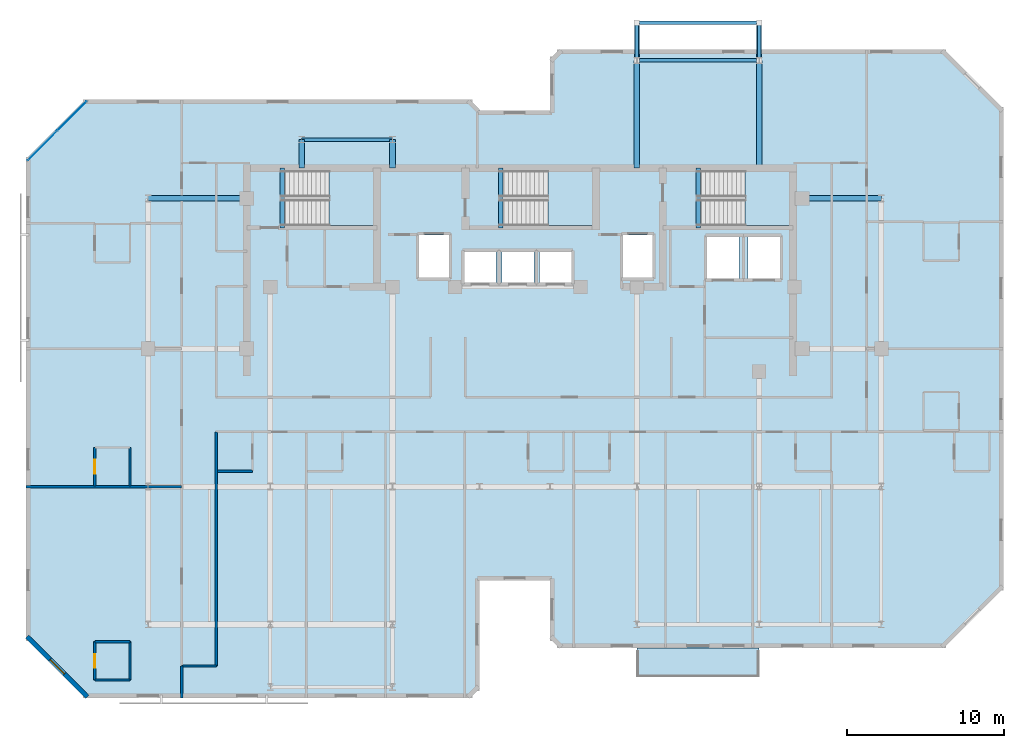
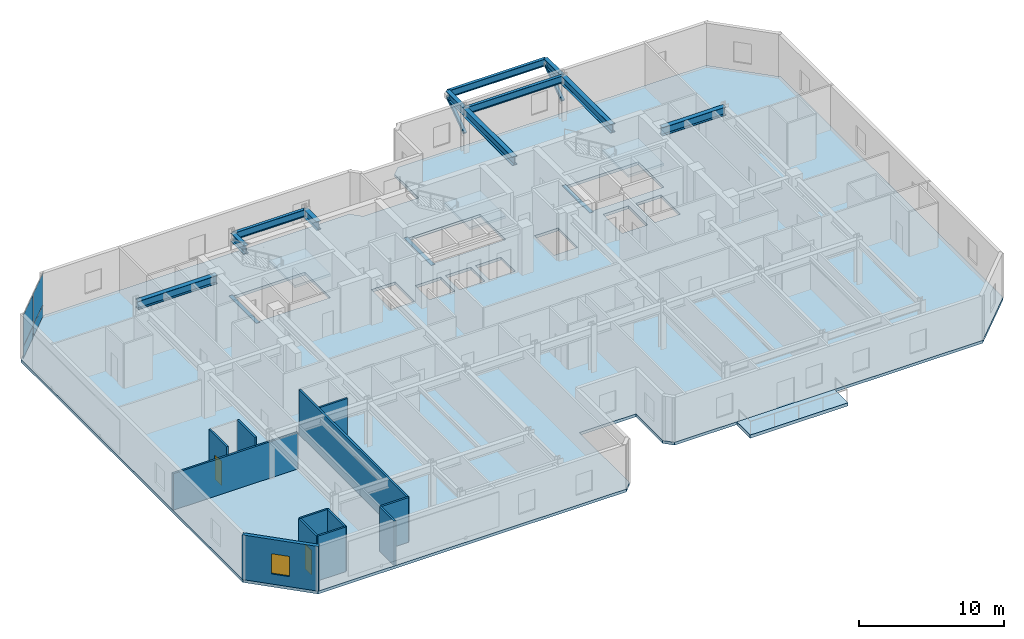
# One storey, part 3 of 10: 14 beams, 12 walls, 5 slabs, 4 plates, 2 doors, 2 members, 1 window, 3 openings, 4 elements without a shape of their own.
"""IFC4 building model written with IfcOpenShell, lengths in metres."""

from ifc_helpers import new_model, si_unit, direction, frame, frame_2d, origin, origin_2d, place, context, subcontext, project, spatial, polyline, rectangle, hollow_rectangle, i_section, outline, extrude, material, layer, layer_set, material_profile, profile_set, type_object, element, fill, aggregate, save


model = new_model("IFC4")

# Units and contexts
model_context = context("Model", 3, precision=1e-05, world=origin(), true_north=direction((0.0, 1.0)))
body_context = subcontext(model_context, "Body", "Model", "MODEL_VIEW")
ifc_project = project(units=[si_unit("LENGTHUNIT", "METRE"), si_unit("AREAUNIT", "SQUARE_METRE"), si_unit("VOLUMEUNIT", "CUBIC_METRE"), si_unit("PLANEANGLEUNIT", "RADIAN"), si_unit("MASSUNIT", "GRAM", prefix="KILO")], contexts=[model_context])

# Site, building, storey
site_placement = place(None, origin())
site = spatial("IfcSite", under=ifc_project, at=site_placement, CompositionType="ELEMENT")
building_placement = place(site_placement, origin())
building = spatial("IfcBuilding", under=site, at=building_placement, Name="Kestravale Grand Hotel", CompositionType="ELEMENT")
storey_placement = place(building_placement, frame((0.0, 0.0, 253.39990234375)))
storey = spatial("IfcBuildingStorey", under=building, at=storey_placement, Name="L63", CompositionType="ELEMENT", Elevation=253.39990234375)

# Beams
ifc_material_1 = material(Name="Concrete f'c 45 MPa", Category="concrete")
ifc_material_profile_1 = material_profile(ifc_material_1, rectangle(XDim=0.300048828125, YDim=0.39990234375, at=origin_2d()))
ifc_profile_set_1 = profile_set([ifc_material_profile_1], Name="Concrete f'c 45 MPa")
beam_type_1 = type_object("IfcBeamType", Name="B-FLR-LNT400", PredefinedType="LINTEL", material=ifc_profile_set_1)
for number, where, z_axis, x_axis, name in (
    (1, (24.159912109375, 36.52001953125, -0.199951171875), (0.0, 1.0, 0.0), (-1.0, 0.0, 0.0), "L63 ST1 flight bottom header beam"),
    (2, (38.110107421875, 36.52001953125, -0.199951171875), (0.0, 1.0, 0.0), (-1.0, 0.0, 0.0), "L63 ST2 flight bottom header beam"),
    (3, (50.7099609375, 36.52001953125, -0.199951171875), (0.0, 1.0, 0.0), (-1.0, 0.0, 0.0), "L63 ST3 flight bottom header beam"),
):
    element("IfcBeam", number, at=place(storey_placement, frame(where, z_axis=z_axis, x_axis=x_axis)), inside=storey, type_object=beam_type_1, Name=name, PredefinedType="LINTEL", context=body_context, shape_type="SweptSolid", body=[
        extrude(rectangle(XDim=0.300048828125, YDim=0.39990234375, at=origin_2d()), origin(), (0.0, 0.0, 1.0), 3.800048828125),
    ])
ifc_material_2 = material(Name="Steel ASTM A992 Grade 50", Category="steel")
ifc_material_profile_2 = material_profile(ifc_material_2, i_section(OverallWidth=0.324951171875, OverallDepth=0.612060546875, WebThickness=0.0126953125, FlangeThickness=0.01904296875, FilletRadius=0.018798828125, at=origin_2d()))
ifc_profile_set_2 = profile_set([ifc_material_profile_2], Name="Steel ASTM A992 Grade 50")
beam_type_2 = type_object("IfcBeamType", Name="B-FLR-W24A", PredefinedType="SPANDREL", material=ifc_profile_set_2)
for number, where, z_axis, x_axis, name in (
    (4, (46.800048828125, 47.199951171875, 3.424072265625), (0.0, 1.0, 0.0), (-1.0, 0.0, 0.0), "L64 terrace cantilever beam 1"),
    (5, (54.60009765625, 47.199951171875, 3.424072265625), (0.0, 1.0, 0.0), (-1.0, 0.0, 0.0), "L64 terrace cantilever beam 2"),
):
    element("IfcBeam", number, at=place(storey_placement, frame(where, z_axis=z_axis, x_axis=x_axis)), inside=storey, type_object=beam_type_2, Name=name, PredefinedType="SPANDREL", context=body_context, shape_type="SweptSolid", body=[
        extrude(i_section(OverallWidth=0.324951171875, OverallDepth=0.612060546875, WebThickness=0.0126953125, FlangeThickness=0.01904296875, FilletRadius=0.018798828125, at=origin_2d()), origin(), (0.0, 0.0, 1.0), 2.400146484375),
    ])
ifc_material_3 = material(Name="Steel ASTM A992 Grade 50", Category="steel")
ifc_material_profile_3 = material_profile(ifc_material_3, i_section(OverallWidth=0.22900390625, OverallDepth=0.612060546875, WebThickness=0.011962890625, FlangeThickness=0.01953125, FilletRadius=0.019287109375, at=origin_2d()))
ifc_profile_set_3 = profile_set([ifc_material_profile_3], Name="Steel ASTM A992 Grade 50")
beam_type_3 = type_object("IfcBeamType", Name="B-FLR-W24B", PredefinedType="SPANDREL", material=ifc_profile_set_3)
beam_1_placement = place(storey_placement, frame((46.800048828125, 47.199951171875, 3.4541015625), z_axis=(1.0, 0.0, 0.0), x_axis=(0.0, 1.0, 0.0)))
element("IfcBeam", 6, at=beam_1_placement, inside=storey, type_object=beam_type_3, Name="L63 spandrel G:8-9", PredefinedType="SPANDREL", context=body_context, shape_type="SweptSolid", body=[
    extrude(i_section(OverallWidth=0.22900390625, OverallDepth=0.612060546875, WebThickness=0.011962890625, FlangeThickness=0.01953125, FilletRadius=0.019287109375, at=origin_2d()), origin(), (0.0, 0.0, 1.0), 7.800048828125),
])
beam_2_placement = place(storey_placement, frame((25.39990234375, 42.14990234375, 3.4541015625), z_axis=(1.0, 0.0, 0.0), x_axis=(0.0, 1.0, 0.0)))
element("IfcBeam", 7, at=beam_2_placement, inside=storey, type_object=beam_type_3, Name="L63 perimeter tie spandrel FN:4-5", PredefinedType="SPANDREL", context=body_context, shape_type="SweptSolid", body=[
    extrude(i_section(OverallWidth=0.22900390625, OverallDepth=0.612060546875, WebThickness=0.011962890625, FlangeThickness=0.01953125, FilletRadius=0.019287109375, at=origin_2d()), origin(), (0.0, 0.0, 1.0), 5.800048828125),
])
beam_3_placement = place(storey_placement, frame((46.800048828125, 49.60009765625, 3.424072265625), z_axis=(1.0, 0.0, 0.0), x_axis=(0.0, 1.0, 0.0)))
element("IfcBeam", 8, at=beam_3_placement, inside=storey, type_object=beam_type_3, Name="L64 terrace edge spandrel", PredefinedType="SPANDREL", context=body_context, shape_type="SweptSolid", body=[
    extrude(i_section(OverallWidth=0.22900390625, OverallDepth=0.612060546875, WebThickness=0.011962890625, FlangeThickness=0.01953125, FilletRadius=0.019287109375, at=origin_2d()), origin(), (0.0, 0.0, 1.0), 7.800048828125),
])
ifc_material_4 = material(Name="Steel ASTM A992 Grade 50", Category="steel")
ifc_material_profile_4 = material_profile(ifc_material_4, i_section(OverallWidth=0.35595703125, OverallDepth=0.696044921875, WebThickness=0.015380859375, FlangeThickness=0.02490234375, FilletRadius=0.021240234375, at=origin_2d()))
ifc_profile_set_4 = profile_set([ifc_material_profile_4], Name="Steel ASTM A992 Grade 50")
beam_type_4 = type_object("IfcBeamType", Name="B-GRD-W27", PredefinedType="BEAM", material=ifc_profile_set_4)
beam_4_placement = place(storey_placement, frame((15.60009765625, 38.39990234375, 3.412109375), z_axis=(1.0, 0.0, 0.0), x_axis=(0.0, 1.0, 0.0)))
element("IfcBeam", 9, at=beam_4_placement, inside=storey, type_object=beam_type_4, Name="L63 girder F:3-CW", PredefinedType="BEAM", context=body_context, shape_type="SweptSolid", body=[
    extrude(i_section(OverallWidth=0.35595703125, OverallDepth=0.696044921875, WebThickness=0.015380859375, FlangeThickness=0.02490234375, FilletRadius=0.021240234375, at=origin_2d()), origin(), (0.0, 0.0, 1.0), 6.2998046875),
])
beam_5_placement = place(storey_placement, frame((57.35009765625, 38.39990234375, 3.412109375), z_axis=(1.0, 0.0, 0.0), x_axis=(0.0, 1.0, 0.0)))
element("IfcBeam", 10, at=beam_5_placement, inside=storey, type_object=beam_type_4, Name="L63 girder F:CE-10", PredefinedType="BEAM", context=body_context, shape_type="SweptSolid", body=[
    extrude(i_section(OverallWidth=0.35595703125, OverallDepth=0.696044921875, WebThickness=0.015380859375, FlangeThickness=0.02490234375, FilletRadius=0.021240234375, at=origin_2d()), origin(), (0.0, 0.0, 1.0), 5.0498046875),
])
for number, where, z_axis, x_axis, name in (
    (11, (25.39990234375, 40.320068359375, 3.412109375), (0.0, 1.0, 0.0), (-1.0, 0.0, 0.0), "L63 north wing tie girder 4:CN-FN"),
    (12, (31.199951171875, 40.320068359375, 3.412109375), (0.0, 1.0, 0.0), (-1.0, 0.0, 0.0), "L63 north wing tie girder 5:CN-FN"),
):
    element("IfcBeam", number, at=place(storey_placement, frame(where, z_axis=z_axis, x_axis=x_axis)), inside=storey, type_object=beam_type_4, Name=name, PredefinedType="BEAM", context=body_context, shape_type="SweptSolid", body=[
        extrude(i_section(OverallWidth=0.35595703125, OverallDepth=0.696044921875, WebThickness=0.015380859375, FlangeThickness=0.02490234375, FilletRadius=0.021240234375, at=origin_2d()), origin(), (0.0, 0.0, 1.0), 1.829833984375),
    ])
for number, where, z_axis, x_axis, name in (
    (13, (46.800048828125, 40.320068359375, 3.412109375), (0.0, 1.0, 0.0), (-1.0, 0.0, 0.0), "L63 north wing tie girder 8:CN-G"),
    (14, (54.60009765625, 40.320068359375, 3.412109375), (0.0, 1.0, 0.0), (-1.0, 0.0, 0.0), "L63 north wing tie girder 9:CN-G"),
):
    element("IfcBeam", number, at=place(storey_placement, frame(where, z_axis=z_axis, x_axis=x_axis)), inside=storey, type_object=beam_type_4, Name=name, PredefinedType="BEAM", context=body_context, shape_type="SweptSolid", body=[
        extrude(i_section(OverallWidth=0.35595703125, OverallDepth=0.696044921875, WebThickness=0.015380859375, FlangeThickness=0.02490234375, FilletRadius=0.021240234375, at=origin_2d()), origin(), (0.0, 0.0, 1.0), 6.8798828125),
    ])

# Members
ifc_material_5 = material(Name="Steel ASTM A500 Grade C", Category="steel")
ifc_material_profile_5 = material_profile(ifc_material_5, hollow_rectangle(XDim=0.25, YDim=0.25, WallThickness=0.011962890625, InnerFilletRadius=0.011962890625, OuterFilletRadius=0.02392578125, at=origin_2d()))
ifc_profile_set_5 = profile_set([ifc_material_profile_5], Name="Steel ASTM A500 Grade C")
member_type = type_object("IfcMemberType", Name="M-BLT-STR250", PredefinedType="STRUT", material=ifc_profile_set_5)
for number, where, z_axis, x_axis, name in (
    (15, (46.800048828125, 47.199951171875, 1.57421875), (0.0, 0.816048950856, 0.577982793694), (-1.0, 0.0, 0.0), "L64 terrace knee-brace strut 1"),
    (16, (54.60009765625, 47.199951171875, 1.57421875), (0.0, 0.816048950856, 0.577982793694), (-1.0, 0.0, 0.0), "L64 terrace knee-brace strut 2"),
):
    element("IfcMember", number, at=place(storey_placement, frame(where, z_axis=z_axis, x_axis=x_axis)), inside=storey, type_object=member_type, Name=name, PredefinedType="STRUT", context=body_context, shape_type="SweptSolid", body=[
        extrude(hollow_rectangle(XDim=0.25, YDim=0.25, WallThickness=0.011962890625, InnerFilletRadius=0.011962890625, OuterFilletRadius=0.02392578125, at=origin_2d()), origin(), (0.0, 0.0, 1.0), 2.941162109375),
    ])

# Curtain wall, plates
ifc_material_6 = material(Name="Thermally broken champagne-bronze aluminium and low-E glazing", Category="aluminium")
ifc_layer_1 = layer(ifc_material_6, 0.179931640625)
ifc_layer_set_1 = layer_set([ifc_layer_1], Name="CW-Z4")
curtain_wall_type = type_object("IfcCurtainWallType", Name="CW-Z4", PredefinedType="NOTDEFINED", material=ifc_layer_set_1)
curtain_wall_placement = place(storey_placement, origin())
curtain_wall = element("IfcCurtainWall", 17, at=curtain_wall_placement, inside=storey, type_object=curtain_wall_type, Name="L63 unitised curtain wall 18", PredefinedType="NOTDEFINED")
ifc_material_7 = material(Name="Insulated clear low-E double glazing IGU", Category="glass")
ifc_layer_2 = layer(ifc_material_7, 0.028076171875)
ifc_layer_set_2 = layer_set([ifc_layer_2], Name="CW-PNL-28")
plate_type = type_object("IfcPlateType", Name="CW-PNL-28", PredefinedType="CURTAIN_PANEL", material=ifc_layer_set_2)
plate_1_placement = place(storey_placement, frame((10.74462890625, 43.646728515625, 0.06494140625), z_axis=(0.0, 0.0, 1.0), x_axis=(-0.707106781187, -0.707106781187, 0.0)))
plate_1 = element("IfcPlate", 18, at=plate_1_placement, type_object=plate_type, Name="CW-Z4 panel 1.1", PredefinedType="CURTAIN_PANEL", context=body_context, shape_type="SweptSolid", body=[
    extrude(rectangle(XDim=2.609619140625, YDim=0.028076171875, at=origin_2d()), origin(), (0.0, 0.0, 1.0), 0.952392578125),
])
plate_2_placement = place(storey_placement, frame((10.74462890625, 43.646728515625, 1.08251953125), z_axis=(0.0, 0.0, 1.0), x_axis=(-0.707106781187, -0.707106781187, 0.0)))
plate_2 = element("IfcPlate", 19, at=plate_2_placement, type_object=plate_type, Name="CW-Z4 panel 1.2", PredefinedType="CURTAIN_PANEL", context=body_context, shape_type="SweptSolid", body=[
    extrude(rectangle(XDim=2.609619140625, YDim=0.028076171875, at=origin_2d()), origin(), (0.0, 0.0, 1.0), 2.612548828125),
])
plate_3_placement = place(storey_placement, frame((8.853271484375, 41.75537109375, 0.06494140625), z_axis=(0.0, 0.0, 1.0), x_axis=(-0.707106781187, -0.707106781187, 0.0)))
plate_3 = element("IfcPlate", 20, at=plate_3_placement, type_object=plate_type, Name="CW-Z4 panel 2.1", PredefinedType="CURTAIN_PANEL", context=body_context, shape_type="SweptSolid", body=[
    extrude(rectangle(XDim=2.609619140625, YDim=0.028076171875, at=origin_2d()), origin(), (0.0, 0.0, 1.0), 0.952392578125),
])
plate_4_placement = place(storey_placement, frame((8.853271484375, 41.75537109375, 1.08251953125), z_axis=(0.0, 0.0, 1.0), x_axis=(-0.707106781187, -0.707106781187, 0.0)))
plate_4 = element("IfcPlate", 21, at=plate_4_placement, type_object=plate_type, Name="CW-Z4 panel 2.2", PredefinedType="CURTAIN_PANEL", context=body_context, shape_type="SweptSolid", body=[
    extrude(rectangle(XDim=2.609619140625, YDim=0.028076171875, at=origin_2d()), origin(), (0.0, 0.0, 1.0), 2.612548828125),
])
aggregate(curtain_wall, [plate_1, plate_2, plate_3, plate_4])

# Slab
ifc_material_8 = material(Name="Concrete f'c 45 MPa", Category="concrete")
ifc_layer_3 = layer(ifc_material_8, 0.27001953125)
ifc_layer_set_3 = layer_set([ifc_layer_3], Name="ES-TERR-270")
slab_type_1 = type_object("IfcSlabType", Name="ES-TERR-270", PredefinedType="FLOOR", material=ifc_layer_set_3)
slab_1_placement = place(storey_placement, frame((0.0, 0.0, -0.27001953125)))
element("IfcSlab", 22, at=slab_1_placement, inside=storey, type_object=slab_type_1, Name="L63 spiralling planted garden terrace", PredefinedType="FLOOR", context=body_context, shape_type="SweptSolid", body=[
    extrude(outline(polyline([(46.800048828125, 7.85009765625), (54.60009765625, 7.85009765625), (54.60009765625, 9.699951171875), (46.800048828125, 9.699951171875), (46.800048828125, 7.85009765625)])), origin(), (0.0, 0.0, 1.0), 0.27001953125),
])

# Stair, slab
ifc_material_9 = material(Name="Concrete f'c 45 MPa", Category="concrete")
stair_type = type_object("IfcStairType", Name="ST-CORE-400", PredefinedType="HALF_TURN_STAIR", material=ifc_material_9)
stair_1_placement = place(storey_placement, origin())
stair_1 = element("IfcStair", 23, at=stair_1_placement, inside=storey, type_object=stair_type, Name="L63 ST-1", PredefinedType="HALF_TURN_STAIR")
ifc_material_10 = material(Name="Concrete f'c 45 MPa", Category="concrete")
ifc_layer_4 = layer(ifc_material_10, 0.199951171875)
ifc_layer_set_4 = layer_set([ifc_layer_4], Name="SLB-ST-LND200")
slab_type_2 = type_object("IfcSlabType", Name="SLB-ST-LND200", PredefinedType="LANDING", material=ifc_layer_set_4)
slab_2_placement = place(storey_placement, frame((0.0, 0.0, 1.800048828125)))
slab_2 = element("IfcSlab", 24, at=slab_2_placement, type_object=slab_type_2, Name="ST-1 landing 1", PredefinedType="LANDING", context=body_context, shape_type="SweptSolid", body=[
    extrude(outline(polyline([(27.159912109375, 36.64990234375), (30.0, 36.64990234375), (30.0, 40.159912109375), (27.159912109375, 40.159912109375), (27.159912109375, 36.64990234375)])), origin(), (0.0, 0.0, 1.0), 0.199951171875),
])
aggregate(stair_1, [slab_2])

stair_2_placement = place(storey_placement, origin())
stair_2 = element("IfcStair", 25, at=stair_2_placement, inside=storey, type_object=stair_type, Name="L63 ST-2", PredefinedType="HALF_TURN_STAIR")
slab_3_placement = place(storey_placement, frame((0.0, 0.0, 1.800048828125)))
slab_3 = element("IfcSlab", 26, at=slab_3_placement, type_object=slab_type_2, Name="ST-2 landing 1", PredefinedType="LANDING", context=body_context, shape_type="SweptSolid", body=[
    extrude(outline(polyline([(41.110107421875, 36.64990234375), (43.949951171875, 36.64990234375), (43.949951171875, 40.159912109375), (41.110107421875, 40.159912109375), (41.110107421875, 36.64990234375)])), origin(), (0.0, 0.0, 1.0), 0.199951171875),
])
aggregate(stair_2, [slab_3])

stair_3_placement = place(storey_placement, origin())
stair_3 = element("IfcStair", 27, at=stair_3_placement, inside=storey, type_object=stair_type, Name="L63 ST-3", PredefinedType="HALF_TURN_STAIR")
slab_4_placement = place(storey_placement, frame((0.0, 0.0, 1.800048828125)))
slab_4 = element("IfcSlab", 28, at=slab_4_placement, type_object=slab_type_2, Name="ST-3 landing 1", PredefinedType="LANDING", context=body_context, shape_type="SweptSolid", body=[
    extrude(outline(polyline([(53.7099609375, 36.64990234375), (56.550048828125, 36.64990234375), (56.550048828125, 40.159912109375), (53.7099609375, 40.159912109375), (53.7099609375, 36.64990234375)])), origin(), (0.0, 0.0, 1.0), 0.199951171875),
])
aggregate(stair_3, [slab_4])

# Slab
ifc_material_11 = material(Name="Concrete f'c 45 MPa", Category="concrete")
ifc_layer_5 = layer(ifc_material_11, 0.239990234375)
ifc_layer_set_5 = layer_set([ifc_layer_5], Name="SS-FLR-240")
slab_type_3 = type_object("IfcSlabType", Name="SS-FLR-240", PredefinedType="FLOOR", material=ifc_layer_set_5)
slab_5_placement = place(storey_placement, frame((0.0, 0.0, -0.239990234375)))
element("IfcSlab", 29, at=slab_5_placement, inside=storey, type_object=slab_type_3, Name="L63 structural floor slab", PredefinedType="FLOOR", context=body_context, shape_type="SweptSolid", body=[
    extrude(outline(polyline([(11.60009765625, 6.5), (36.14990234375, 6.5), (36.75, 7.10009765625), (36.75, 14.0), (41.25, 14.0), (41.25, 10.300048828125), (41.85009765625, 9.699951171875), (66.39990234375, 9.699951171875), (70.199951171875, 13.5), (70.199951171875, 44.10009765625), (66.39990234375, 47.89990234375), (41.85009765625, 47.89990234375), (41.25, 47.300048828125), (41.25, 44.0), (36.75, 44.0), (36.75, 44.10009765625), (36.14990234375, 44.699951171875), (11.60009765625, 44.699951171875), (7.800048828125, 40.89990234375), (7.800048828125, 10.300048828125), (11.60009765625, 6.5)]), holes=[polyline([(24.080078125, 36.64990234375), (30.0, 36.64990234375), (30.0, 40.159912109375), (24.080078125, 40.159912109375), (24.080078125, 36.64990234375)]), polyline([(38.030029296875, 36.64990234375), (43.949951171875, 36.64990234375), (43.949951171875, 40.159912109375), (38.030029296875, 40.159912109375), (38.030029296875, 36.64990234375)]), polyline([(50.6298828125, 36.64990234375), (56.550048828125, 36.64990234375), (56.550048828125, 40.159912109375), (50.6298828125, 40.159912109375), (50.6298828125, 36.64990234375)]), polyline([(35.780029296875, 33.030029296875), (37.820068359375, 33.030029296875), (37.820068359375, 34.969970703125), (35.780029296875, 34.969970703125), (35.780029296875, 33.030029296875)]), polyline([(38.179931640625, 33.030029296875), (40.219970703125, 33.030029296875), (40.219970703125, 34.969970703125), (38.179931640625, 34.969970703125), (38.179931640625, 33.030029296875)]), polyline([(40.580078125, 33.030029296875), (42.6201171875, 33.030029296875), (42.6201171875, 34.969970703125), (40.580078125, 34.969970703125), (40.580078125, 33.030029296875)]), polyline([(32.905029296875, 33.35498046875), (34.794921875, 33.35498046875), (34.794921875, 36.044921875), (32.905029296875, 36.044921875), (32.905029296875, 33.35498046875)]), polyline([(45.905029296875, 33.35498046875), (47.794921875, 33.35498046875), (47.794921875, 36.044921875), (45.905029296875, 36.044921875), (45.905029296875, 33.35498046875)]), polyline([(51.280029296875, 33.280029296875), (53.320068359375, 33.280029296875), (53.320068359375, 35.919921875), (51.280029296875, 35.919921875), (51.280029296875, 33.280029296875)]), polyline([(53.8798828125, 33.280029296875), (55.919921875, 33.280029296875), (55.919921875, 35.919921875), (53.8798828125, 35.919921875), (53.8798828125, 33.280029296875)])]), origin(), (0.0, 0.0, 1.0), 0.239990234375),
])

# Wall, opening, window
ifc_material_12 = material(Name="Precast concrete f'c 45 MPa", Category="concrete")
ifc_layer_6 = layer(ifc_material_12, 0.280029296875)
ifc_layer_set_6 = layer_set([ifc_layer_6], Name="EW-PREC-280")
wall_type_1 = type_object("IfcWallType", Name="EW-PREC-280", PredefinedType="SOLIDWALL", material=ifc_layer_set_6)
wall_1_placement = place(storey_placement, frame((7.87060546875, 10.42724609375, 0.0), z_axis=(0.0, 0.0, 1.0), x_axis=(0.707129162587, -0.707084399077, 0.0)))
wall_1 = element("IfcWall", 30, at=wall_1_placement, inside=storey, type_object=wall_type_1, Name="L63 fluted precast facade wall 20", PredefinedType="SOLIDWALL", context=body_context, shape_type="SweptSolid", body=[
    extrude(rectangle(XDim=5.4541015625, YDim=0.280029296875, at=frame_2d((2.72705078125, 0.0))), origin(), (0.0, 0.0, 1.0), 3.760009765625),
])
opening_1_placement = place(wall_1_placement, frame((2.076904296875, 0.0, 0.85009765625)))
opening_1 = element("IfcOpeningElement", 31, at=opening_1_placement, cuts=wall_1, Name="Opening W-GUEST-1300", PredefinedType="OPENING", context=body_context, shape_type="SweptSolid", body=[
    extrude(rectangle(XDim=1.300048828125, YDim=1.699951171875, at=frame_2d((0.64990234375, 0.85009765625))), frame((0.0, 0.14990234375, 0.0), z_axis=(0.0, -1.0, 0.0), x_axis=(1.0, 0.0, 0.0)), (0.0, 0.0, 1.0), 0.300048828125),
])
ifc_material_13 = material(Name="Insulated low-E double glazing in aluminium frame", Category="aluminium")
window_type = type_object("IfcWindowType", Name="W-GUEST-1300", PartitioningType="SINGLE_PANEL", PredefinedType="WINDOW", material=ifc_material_13)
window_placement = place(opening_1_placement, origin())
window = element("IfcWindow", 32, at=window_placement, inside=storey, type_object=window_type, Name="L63 exterior window 20.1", OverallHeight=1.699951171875, OverallWidth=1.300048828125, PartitioningType="SINGLE_PANEL", PredefinedType="WINDOW", context=body_context, shape_type="SweptSolid", body=[
    extrude(rectangle(XDim=1.300048828125, YDim=1.699951171875, at=frame_2d((0.64990234375, 0.85009765625))), frame((0.0, 0.030029296875, 0.0), z_axis=(0.0, -1.0, 0.0), x_axis=(1.0, 0.0, 0.0)), (0.0, 0.0, 1.0), 0.06005859375),
])
fill(opening_1, window)

# Walls
ifc_material_14 = material(Name="Acoustic fire-rated gypsum board partition", Category="other")
ifc_layer_7 = layer(ifc_material_14, 0.159912109375)
ifc_layer_set_7 = layer_set([ifc_layer_7], Name="IW-CORR-160")
wall_type_2 = type_object("IfcWallType", Name="IW-CORR-160", PredefinedType="PARTITIONING", material=ifc_layer_set_7)
wall_2_placement = place(storey_placement, frame((19.9599609375, 8.550048828125, 0.0), z_axis=(0.0, 0.0, 1.0), x_axis=(0.0, 1.0, 0.0)))
element("IfcWall", 33, at=wall_2_placement, inside=storey, type_object=wall_type_2, Name="W-L63-SW-E", PredefinedType="PARTITIONING", context=body_context, shape_type="SweptSolid", body=[
    extrude(rectangle(XDim=14.93994140625, YDim=0.159912109375, at=frame_2d((7.469970703125, 0.0))), origin(), (0.0, 0.0, 1.0), 3.760009765625),
])
ifc_material_15 = material(Name="Moisture-resistant tile-backer plumbing chase wall", Category="other")
ifc_layer_8 = layer(ifc_material_15, 0.139892578125)
ifc_layer_set_8 = layer_set([ifc_layer_8], Name="IW-PLB-140")
wall_type_3 = type_object("IfcWallType", Name="IW-PLB-140", PredefinedType="PLUMBINGWALL", material=ifc_layer_set_8)
wall_3_placement = place(storey_placement, frame((20.02001953125, 20.97998046875, 0.0), z_axis=(0.0, 0.0, 1.0), x_axis=(1.0, 0.0, 0.0)))
element("IfcWall", 34, at=wall_3_placement, inside=storey, type_object=wall_type_3, Name="W-L63-U01-BS", PredefinedType="PLUMBINGWALL", context=body_context, shape_type="SweptSolid", body=[
    extrude(rectangle(XDim=2.25, YDim=0.139892578125, at=frame_2d((1.125, 0.0))), origin(), (0.0, 0.0, 1.0), 3.760009765625),
])

# Wall, opening, door
wall_4_placement = place(storey_placement, frame((12.199951171875, 7.64990234375, 0.0), z_axis=(0.0, 0.0, 1.0), x_axis=(0.0, 1.0, 0.0)))
wall_4 = element("IfcWall", 35, at=wall_4_placement, inside=storey, type_object=wall_type_3, Name="W-L63-U06-BW", PredefinedType="PLUMBINGWALL", context=body_context, shape_type="SweptSolid", body=[
    extrude(rectangle(XDim=2.4501953125, YDim=0.139892578125, at=frame_2d((1.22509765625, 0.0))), origin(), (0.0, 0.0, 1.0), 3.760009765625),
])
opening_2_placement = place(wall_4_placement, frame((0.784912109375, 0.0, 0.0)))
opening_2 = element("IfcOpeningElement", 36, at=opening_2_placement, cuts=wall_4, Name="Opening D-BATH-880", PredefinedType="OPENING", context=body_context, shape_type="SweptSolid", body=[
    extrude(rectangle(XDim=0.8798828125, YDim=2.050048828125, at=frame_2d((0.43994140625, 1.02490234375))), frame((0.0, 0.079833984375, 0.0), z_axis=(0.0, -1.0, 0.0), x_axis=(1.0, 0.0, 0.0)), (0.0, 0.0, 1.0), 0.159912109375),
])
ifc_material_16 = material(Name="Moisture-sealed walnut en-suite bathroom door", Category="wood")
door_type = type_object("IfcDoorType", Name="D-BATH-880", OperationType="NOTDEFINED", PredefinedType="DOOR", material=ifc_material_16)
door_1_placement = place(opening_2_placement, origin())
door_1 = element("IfcDoor", 37, at=door_1_placement, inside=storey, type_object=door_type, Name="D-L63-U06-BATH", OperationType="SINGLE_SWING_RIGHT", OverallHeight=2.050048828125, OverallWidth=0.8798828125, PredefinedType="DOOR", context=body_context, shape_type="SweptSolid", body=[
    extrude(rectangle(XDim=0.8798828125, YDim=2.050048828125, at=frame_2d((0.43994140625, 1.02490234375))), frame((0.0, 0.02490234375, 0.0), z_axis=(0.0, -1.0, 0.0), x_axis=(1.0, 0.0, 0.0)), (0.0, 0.0, 1.0), 0.050048828125),
])
fill(opening_2, door_1)

# Walls
wall_5_placement = place(storey_placement, frame((14.449951171875, 7.64990234375, 0.0), z_axis=(0.0, 0.0, 1.0), x_axis=(0.0, 1.0, 0.0)))
element("IfcWall", 38, at=wall_5_placement, inside=storey, type_object=wall_type_3, Name="W-L63-U06-BE", PredefinedType="PLUMBINGWALL", context=body_context, shape_type="SweptSolid", body=[
    extrude(rectangle(XDim=2.4501953125, YDim=0.139892578125, at=frame_2d((1.22509765625, 0.0))), origin(), (0.0, 0.0, 1.0), 3.760009765625),
])
for number, where, z_axis, x_axis, name in (
    (39, (12.199951171875, 7.64990234375, 0.0), (0.0, 0.0, 1.0), (1.0, 0.0, 0.0), "W-L63-U06-BS"),
    (40, (12.199951171875, 10.10009765625, 0.0), (0.0, 0.0, 1.0), (1.0, 0.0, 0.0), "W-L63-U06-BN"),
):
    element("IfcWall", number, at=place(storey_placement, frame(where, z_axis=z_axis, x_axis=x_axis)), inside=storey, type_object=wall_type_3, Name=name, PredefinedType="PLUMBINGWALL", context=body_context, shape_type="SweptSolid", body=[
        extrude(rectangle(XDim=2.25, YDim=0.139892578125, at=frame_2d((1.125, 0.0))), origin(), (0.0, 0.0, 1.0), 3.760009765625),
    ])

# Wall, opening, door
wall_6_placement = place(storey_placement, frame((12.199951171875, 20.0400390625, 0.0), z_axis=(0.0, 0.0, 1.0), x_axis=(0.0, 1.0, 0.0)))
wall_6 = element("IfcWall", 41, at=wall_6_placement, inside=storey, type_object=wall_type_3, Name="W-L63-U07-BW", PredefinedType="PLUMBINGWALL", context=body_context, shape_type="SweptSolid", body=[
    extrude(rectangle(XDim=2.449951171875, YDim=0.139892578125, at=frame_2d((1.22509765625, 0.0))), origin(), (0.0, 0.0, 1.0), 3.760009765625),
])
opening_3_placement = place(wall_6_placement, frame((0.784912109375, 0.0, 0.0)))
opening_3 = element("IfcOpeningElement", 42, at=opening_3_placement, cuts=wall_6, Name="Opening D-BATH-880", PredefinedType="OPENING", context=body_context, shape_type="SweptSolid", body=[
    extrude(rectangle(XDim=0.8798828125, YDim=2.050048828125, at=frame_2d((0.43994140625, 1.02490234375))), frame((0.0, 0.079833984375, 0.0), z_axis=(0.0, -1.0, 0.0), x_axis=(1.0, 0.0, 0.0)), (0.0, 0.0, 1.0), 0.159912109375),
])
door_2_placement = place(opening_3_placement, origin())
door_2 = element("IfcDoor", 43, at=door_2_placement, inside=storey, type_object=door_type, Name="D-L63-U07-BATH", OperationType="SINGLE_SWING_RIGHT", OverallHeight=2.050048828125, OverallWidth=0.8798828125, PredefinedType="DOOR", context=body_context, shape_type="SweptSolid", body=[
    extrude(rectangle(XDim=0.8798828125, YDim=2.050048828125, at=frame_2d((0.43994140625, 1.02490234375))), frame((0.0, 0.02490234375, 0.0), z_axis=(0.0, -1.0, 0.0), x_axis=(1.0, 0.0, 0.0)), (0.0, 0.0, 1.0), 0.050048828125),
])
fill(opening_3, door_2)

# Walls
wall_7_placement = place(storey_placement, frame((14.449951171875, 20.0400390625, 0.0), z_axis=(0.0, 0.0, 1.0), x_axis=(0.0, 1.0, 0.0)))
element("IfcWall", 44, at=wall_7_placement, inside=storey, type_object=wall_type_3, Name="W-L63-U07-BE", PredefinedType="PLUMBINGWALL", context=body_context, shape_type="SweptSolid", body=[
    extrude(rectangle(XDim=2.449951171875, YDim=0.139892578125, at=frame_2d((1.22509765625, 0.0))), origin(), (0.0, 0.0, 1.0), 3.760009765625),
])
ifc_material_17 = material(Name="Double-stud STC 52 acoustic demising partition", Category="other")
ifc_layer_9 = layer(ifc_material_17, 0.14990234375)
ifc_layer_set_9 = layer_set([ifc_layer_9], Name="IW-UNIT-150")
wall_type_4 = type_object("IfcWallType", Name="IW-UNIT-150", PredefinedType="PARTITIONING", material=ifc_layer_set_9)
wall_8_placement = place(storey_placement, frame((17.739990234375, 8.550048828125, 0.0), z_axis=(0.0, 0.0, 1.0), x_axis=(1.0, 0.0, 0.0)))
element("IfcWall", 45, at=wall_8_placement, inside=storey, type_object=wall_type_4, Name="W-L63-SW-S", PredefinedType="PARTITIONING", context=body_context, shape_type="SweptSolid", body=[
    extrude(rectangle(XDim=2.219970703125, YDim=0.14990234375, at=frame_2d((1.10986328125, 0.0))), origin(), (0.0, 0.0, 1.0), 3.760009765625),
])
wall_9_placement = place(storey_placement, frame((17.739990234375, 6.52001953125, 0.0), z_axis=(0.0, 0.0, 1.0), x_axis=(0.0, 1.0, 0.0)))
element("IfcWall", 46, at=wall_9_placement, inside=storey, type_object=wall_type_4, Name="W-L63-SW-EXT", PredefinedType="PARTITIONING", context=body_context, shape_type="SweptSolid", body=[
    extrude(rectangle(XDim=2.030029296875, YDim=0.14990234375, at=frame_2d((1.01513671875, 0.0))), origin(), (0.0, 0.0, 1.0), 3.760009765625),
])
wall_10_placement = place(storey_placement, frame((7.820068359375, 20.0, 0.0), z_axis=(0.0, 0.0, 1.0), x_axis=(1.0, 0.0, 0.0)))
element("IfcWall", 47, at=wall_10_placement, inside=storey, type_object=wall_type_4, Name="W-L63-WW-1", PredefinedType="PARTITIONING", context=body_context, shape_type="SweptSolid", body=[
    extrude(rectangle(XDim=9.919921875, YDim=0.14990234375, at=frame_2d((4.9599609375, 0.0))), origin(), (0.0, 0.0, 1.0), 3.064208984375),
])

save(model, "model.ifc")
